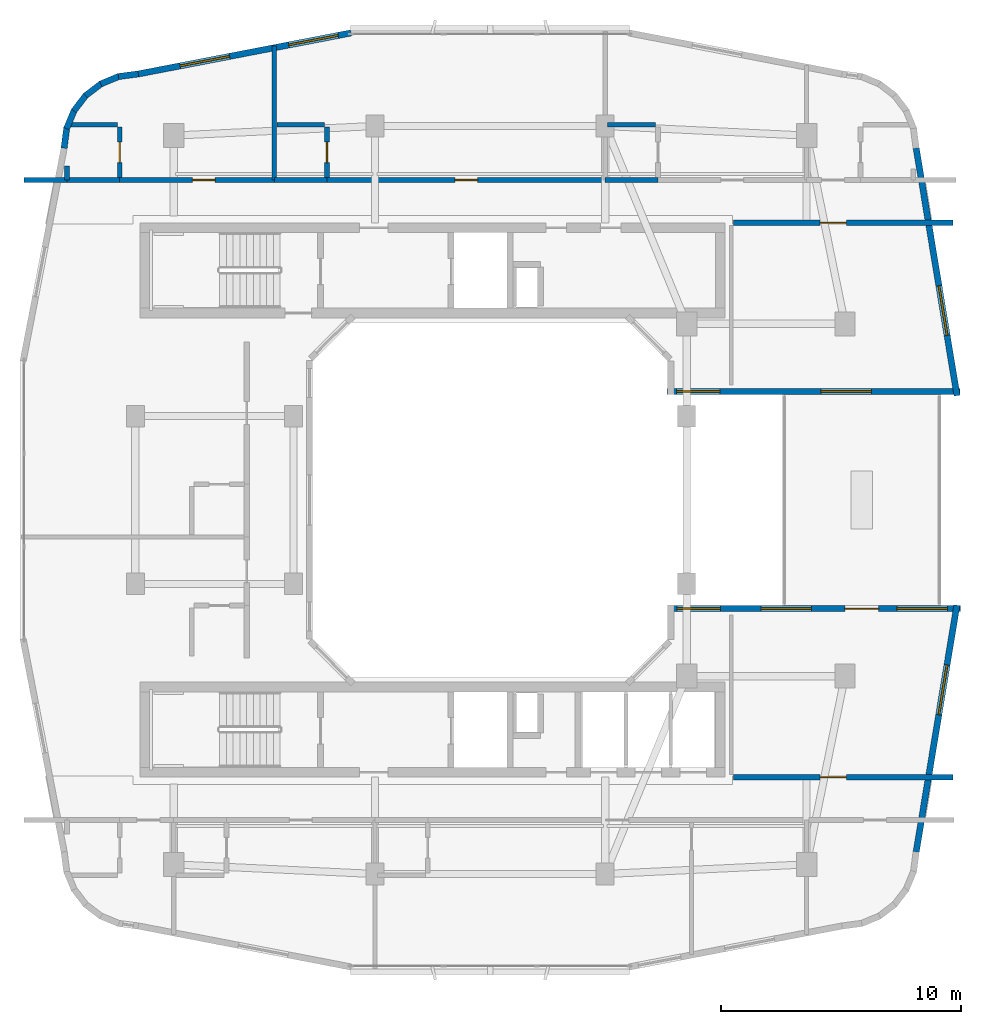
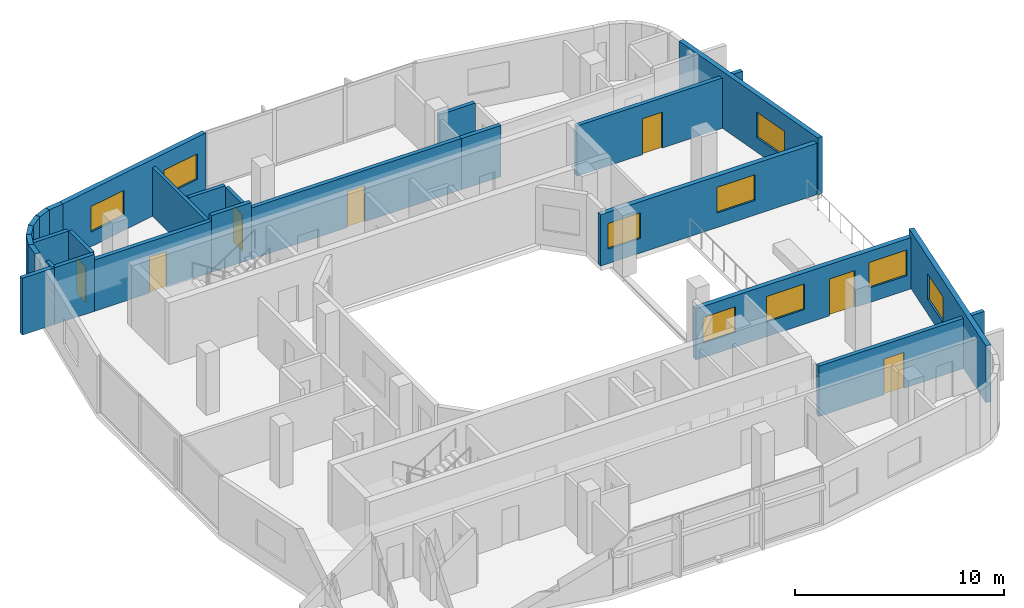
# One storey, part 7 of 12: 26 walls, 9 windows, 7 doors, 16 openings.
"""IFC4 building model written with IfcOpenShell, lengths in metres."""

from ifc_helpers import new_model, si_unit, derived_unit, direction, frame, frame_2d, origin, place, context, subcontext, project, spatial, rectangle, extrude, material, layer, layer_set, type_object, element, fill, save


model = new_model("IFC4")

# Units and contexts
model_context = context("Model", 3, precision=1e-05, world=origin(), true_north=direction((0.0, 1.0)))
body_context = subcontext(model_context, "Body", "Model", "MODEL_VIEW")
ifc_project = project(units=[si_unit("LENGTHUNIT", "METRE"), si_unit("AREAUNIT", "SQUARE_METRE"), si_unit("VOLUMEUNIT", "CUBIC_METRE"), si_unit("PLANEANGLEUNIT", "RADIAN"), si_unit("MASSUNIT", "GRAM", prefix="KILO"), derived_unit("THERMALTRANSMITTANCEUNIT", [(si_unit("POWERUNIT", "WATT"), 1), (si_unit("LENGTHUNIT", "METRE"), -2), (si_unit("THERMODYNAMICTEMPERATUREUNIT", "KELVIN"), -1)])], contexts=[model_context])

# Site, building, storey
site_placement = place(None, origin())
site = spatial("IfcSite", under=ifc_project, at=site_placement, CompositionType="ELEMENT")
building_placement = place(site_placement, origin())
building = spatial("IfcBuilding", under=site, at=building_placement, Name="Kivonza Crest Hotel", CompositionType="ELEMENT")
storey_placement = place(building_placement, frame((0.0, 0.0, 177.5)))
storey = spatial("IfcBuildingStorey", under=building, at=storey_placement, Name="L48", CompositionType="ELEMENT", Elevation=177.5)

# Walls
ifc_material_1 = material(Name="High-density acoustic masonry inter-tenancy wall", Category="masonry")
ifc_layer_1 = layer(ifc_material_1, 0.179931640625)
ifc_layer_set_1 = layer_set([ifc_layer_1], Name="High-density acoustic masonry inter-tenancy wall")
wall_type_1 = type_object("IfcWallType", Name="WL-ACOU-180", PredefinedType="SOLIDWALL", material=ifc_layer_set_1)
wall_1_placement = place(storey_placement, frame((12.0, 38.35009765625, 0.0), z_axis=(0.0, 0.0, 1.0), x_axis=(0.0, 1.0, 0.0)))
element("IfcWall", 1, at=wall_1_placement, inside=storey, type_object=wall_type_1, Name="L48 interior partition WA-L48-T1N-DIV1", PredefinedType="SOLIDWALL", context=body_context, shape_type="SweptSolid", body=[
    extrude(rectangle(XDim=5.587890625, YDim=0.179931640625, at=frame_2d((2.7939453125, 0.0))), origin(), (0.0, 0.0, 1.0), 2.844970703125),
])
ifc_material_2 = material(Name="Autoclaved aerated concrete blockwork", Category="masonry")
ifc_layer_2 = layer(ifc_material_2, 0.219970703125)
ifc_layer_set_2 = layer_set([ifc_layer_2], Name="Autoclaved aerated concrete blockwork")
wall_type_2 = type_object("IfcWallType", Name="WL-ACOU-220", PredefinedType="SOLIDWALL", material=ifc_layer_set_2)
wall_2_placement = place(storey_placement, frame((1.56005859375, 38.35009765625, 0.0), z_axis=(0.0, 0.0, 1.0), x_axis=(1.0, 0.0, 0.0)))
element("IfcWall", 2, at=wall_2_placement, inside=storey, type_object=wall_type_2, Name="L48 interior partition WA-L48-N01-XCORR", PredefinedType="SOLIDWALL", context=body_context, shape_type="SweptSolid", body=[
    extrude(rectangle(XDim=1.7900390625, YDim=0.219970703125, at=frame_2d((0.89501953125, 0.0))), origin(), (0.0, 0.0, 1.0), 3.320068359375),
])
wall_3_placement = place(storey_placement, frame((3.35009765625, 38.35009765625, 0.0), z_axis=(0.0, 0.0, 1.0), x_axis=(1.0, 0.0, 0.0)))
element("IfcWall", 3, at=wall_3_placement, inside=storey, type_object=wall_type_2, Name="L48 interior partition WA-L48-N01-BCORR", PredefinedType="SOLIDWALL", context=body_context, shape_type="SweptSolid", body=[
    extrude(rectangle(XDim=2.199951171875, YDim=0.219970703125, at=frame_2d((1.10009765625, 0.0))), origin(), (0.0, 0.0, 1.0), 3.320068359375),
])

# Wall, opening, door
wall_4_placement = place(storey_placement, frame((5.550048828125, 38.35009765625, 0.0), z_axis=(0.0, 0.0, 1.0), x_axis=(1.0, 0.0, 0.0)))
wall_4 = element("IfcWall", 4, at=wall_4_placement, inside=storey, type_object=wall_type_2, Name="L48 interior partition WA-L48-N01-MCORR", PredefinedType="SOLIDWALL", context=body_context, shape_type="SweptSolid", body=[
    extrude(rectangle(XDim=6.449951171875, YDim=0.219970703125, at=frame_2d((3.22509765625, 0.0))), origin(), (0.0, 0.0, 1.0), 2.9951171875),
])
opening_1_placement = place(wall_4_placement, frame((3.030029296875, 0.0, 0.0)))
opening_1 = element("IfcOpeningElement", 5, at=opening_1_placement, cuts=wall_4, Name="Opening DU-60", PredefinedType="OPENING", context=body_context, shape_type="SweptSolid", body=[
    extrude(rectangle(XDim=0.949951171875, YDim=2.10009765625, at=frame_2d((0.47509765625, 1.050048828125))), frame((0.0, 0.1201171875, 0.0), z_axis=(0.0, -1.0, 0.0), x_axis=(1.0, 0.0, 0.0)), (0.0, 0.0, 1.0), 0.239990234375),
])
ifc_material_3 = material(Name="Hardwood timber oak", Category="wood")
door_type_1 = type_object("IfcDoorType", Name="DR-UNIT-950", OperationType="NOTDEFINED", PredefinedType="DOOR", material=ifc_material_3)
door_1_placement = place(opening_1_placement, origin())
door_1 = element("IfcDoor", 6, at=door_1_placement, inside=storey, type_object=door_type_1, Name="L48 N01 guest unit entrance fire door", OperationType="SINGLE_SWING_LEFT", OverallHeight=2.10009765625, OverallWidth=0.949951171875, PredefinedType="DOOR", context=body_context, shape_type="SweptSolid", body=[
    extrude(rectangle(XDim=0.949951171875, YDim=2.10009765625, at=frame_2d((0.47509765625, 1.050048828125))), frame((0.0, 0.02490234375, 0.0), z_axis=(0.0, -1.0, 0.0), x_axis=(1.0, 0.0, 0.0)), (0.0, 0.0, 1.0), 0.050048828125),
])
fill(opening_1, door_1)

# Wall
wall_5_placement = place(storey_placement, frame((12.0, 38.35009765625, 0.0), z_axis=(0.0, 0.0, 1.0), x_axis=(1.0, 0.0, 0.0)))
element("IfcWall", 7, at=wall_5_placement, inside=storey, type_object=wall_type_2, Name="L48 interior partition WA-L48-N02-BCORR", PredefinedType="SOLIDWALL", context=body_context, shape_type="SweptSolid", body=[
    extrude(rectangle(XDim=2.199951171875, YDim=0.219970703125, at=frame_2d((1.10009765625, 0.0))), origin(), (0.0, 0.0, 1.0), 3.320068359375),
])

# Wall, opening, door
wall_6_placement = place(storey_placement, frame((14.199951171875, 38.35009765625, 0.0), z_axis=(0.0, 0.0, 1.0), x_axis=(1.0, 0.0, 0.0)))
wall_6 = element("IfcWall", 8, at=wall_6_placement, inside=storey, type_object=wall_type_2, Name="L48 interior partition WA-L48-N02-MCORR", PredefinedType="SOLIDWALL", context=body_context, shape_type="SweptSolid", body=[
    extrude(rectangle(XDim=11.60009765625, YDim=0.219970703125, at=frame_2d((5.800048828125, 0.0))), origin(), (0.0, 0.0, 1.0), 2.9951171875),
])
opening_2_placement = place(wall_6_placement, frame((5.324951171875, 0.0, 0.0)))
opening_2 = element("IfcOpeningElement", 9, at=opening_2_placement, cuts=wall_6, Name="Opening DU-60", PredefinedType="OPENING", context=body_context, shape_type="SweptSolid", body=[
    extrude(rectangle(XDim=0.949951171875, YDim=2.10009765625, at=frame_2d((0.47509765625, 1.050048828125))), frame((0.0, 0.1201171875, 0.0), z_axis=(0.0, -1.0, 0.0), x_axis=(1.0, 0.0, 0.0)), (0.0, 0.0, 1.0), 0.239990234375),
])
door_2_placement = place(opening_2_placement, origin())
door_2 = element("IfcDoor", 10, at=door_2_placement, inside=storey, type_object=door_type_1, Name="L48 N02 guest unit entrance fire door", OperationType="SINGLE_SWING_RIGHT", OverallHeight=2.10009765625, OverallWidth=0.949951171875, PredefinedType="DOOR", context=body_context, shape_type="SweptSolid", body=[
    extrude(rectangle(XDim=0.949951171875, YDim=2.10009765625, at=frame_2d((0.47509765625, 1.050048828125))), frame((0.0, 0.02490234375, 0.0), z_axis=(0.0, -1.0, 0.0), x_axis=(1.0, 0.0, 0.0)), (0.0, 0.0, 1.0), 0.050048828125),
])
fill(opening_2, door_2)

# Wall
wall_7_placement = place(storey_placement, frame((25.800048828125, 38.35009765625, 0.0), z_axis=(0.0, 0.0, 1.0), x_axis=(1.0, 0.0, 0.0)))
element("IfcWall", 11, at=wall_7_placement, inside=storey, type_object=wall_type_2, Name="L48 interior partition WA-L48-N03-BCORR", PredefinedType="SOLIDWALL", context=body_context, shape_type="SweptSolid", body=[
    extrude(rectangle(XDim=2.199951171875, YDim=0.219970703125, at=frame_2d((1.10009765625, 0.0))), origin(), (0.0, 0.0, 1.0), 2.9951171875),
])

# Wall, opening, door
wall_8_placement = place(storey_placement, frame((31.14990234375, 13.43994140625, 0.0), z_axis=(0.0, 0.0, 1.0), x_axis=(1.0, 0.0, 0.0)))
wall_8 = element("IfcWall", 12, at=wall_8_placement, inside=storey, type_object=wall_type_2, Name="L48 interior partition WA-L48-EP1-S", PredefinedType="SOLIDWALL", context=body_context, shape_type="SweptSolid", body=[
    extrude(rectangle(XDim=9.150146484375, YDim=0.219970703125, at=frame_2d((4.5751953125, 0.0))), origin(), (0.0, 0.0, 1.0), 2.93505859375),
])
opening_3_placement = place(wall_8_placement, frame((3.612060546875, 0.0, 0.0)))
opening_3 = element("IfcOpeningElement", 13, at=opening_3_placement, cuts=wall_8, Name="Opening DF-60M", PredefinedType="OPENING", context=body_context, shape_type="SweptSolid", body=[
    extrude(rectangle(XDim=1.10009765625, YDim=2.10009765625, at=frame_2d((0.550048828125, 1.050048828125))), frame((0.0, 0.1201171875, 0.0), z_axis=(0.0, -1.0, 0.0), x_axis=(1.0, 0.0, 0.0)), (0.0, 0.0, 1.0), 0.239990234375),
])
door_type_2 = type_object("IfcDoorType", Name="DR-FD60-1100", OperationType="NOTDEFINED", PredefinedType="DOOR", material=ifc_material_3)
door_3_placement = place(opening_3_placement, origin())
door_3 = element("IfcDoor", 14, at=door_3_placement, inside=storey, type_object=door_type_2, Name="L48 South Portal Fitness Gym door", OperationType="SINGLE_SWING_RIGHT", OverallHeight=2.10009765625, OverallWidth=1.10009765625, PredefinedType="DOOR", context=body_context, shape_type="SweptSolid", body=[
    extrude(rectangle(XDim=1.10009765625, YDim=2.10009765625, at=frame_2d((0.550048828125, 1.050048828125))), frame((0.0, 0.02490234375, 0.0), z_axis=(0.0, -1.0, 0.0), x_axis=(1.0, 0.0, 0.0)), (0.0, 0.0, 1.0), 0.050048828125),
])
fill(opening_3, door_3)

wall_9_placement = place(storey_placement, frame((31.14990234375, 36.56005859375, 0.0), z_axis=(0.0, 0.0, 1.0), x_axis=(1.0, 0.0, 0.0)))
wall_9 = element("IfcWall", 15, at=wall_9_placement, inside=storey, type_object=wall_type_2, Name="L48 interior partition WA-L48-EP2-N", PredefinedType="SOLIDWALL", context=body_context, shape_type="SweptSolid", body=[
    extrude(rectangle(XDim=9.150146484375, YDim=0.219970703125, at=frame_2d((4.5751953125, 0.0))), origin(), (0.0, 0.0, 1.0), 2.93505859375),
])
opening_4_placement = place(wall_9_placement, frame((3.612060546875, 0.0, 0.0)))
opening_4 = element("IfcOpeningElement", 16, at=opening_4_placement, cuts=wall_9, Name="Opening DF-60M", PredefinedType="OPENING", context=body_context, shape_type="SweptSolid", body=[
    extrude(rectangle(XDim=1.10009765625, YDim=2.10009765625, at=frame_2d((0.550048828125, 1.050048828125))), frame((0.0, 0.1201171875, 0.0), z_axis=(0.0, -1.0, 0.0), x_axis=(1.0, 0.0, 0.0)), (0.0, 0.0, 1.0), 0.239990234375),
])
door_4_placement = place(opening_4_placement, frame((1.10009765625, 0.0, 0.0), z_axis=(0.0, 0.0, 1.0), x_axis=(-1.0, 0.0, 0.0)))
door_4 = element("IfcDoor", 17, at=door_4_placement, inside=storey, type_object=door_type_2, Name="L48 North Portal Executive Office door", OperationType="SINGLE_SWING_LEFT", OverallHeight=2.10009765625, OverallWidth=1.10009765625, PredefinedType="DOOR", context=body_context, shape_type="SweptSolid", body=[
    extrude(rectangle(XDim=1.10009765625, YDim=2.10009765625, at=frame_2d((0.550048828125, 1.050048828125))), frame((0.0, 0.02490234375, 0.0), z_axis=(0.0, -1.0, 0.0), x_axis=(1.0, 0.0, 0.0)), (0.0, 0.0, 1.0), 0.050048828125),
])
fill(opening_4, door_4)

# Wall, opening, window
ifc_material_4 = material(Name="Precast concrete C40/50", Category="concrete")
ifc_layer_3 = layer(ifc_material_4, 0.260009765625)
ifc_layer_set_3 = layer_set([ifc_layer_3], Name="Precast concrete C40/50")
wall_type_3 = type_object("IfcWallType", Name="WL-EXT-260", PredefinedType="STANDARD", material=ifc_layer_set_3)
wall_10_placement = place(storey_placement, frame((38.77099609375, 10.31298828125, 0.0), z_axis=(0.0, 0.0, 1.0), x_axis=(0.16277908586, 0.986662540693, 0.0)))
wall_10 = element("IfcWall", 18, at=wall_10_placement, inside=storey, type_object=wall_type_3, Name="L48 T1 exterior insulated wall 16", PredefinedType="STANDARD", context=body_context, shape_type="SweptSolid", body=[
    extrude(rectangle(XDim=10.437255859375, YDim=0.260009765625, at=frame_2d((5.21875, 0.0))), origin(), (0.0, 0.0, 1.0), 3.320068359375),
])
opening_5_placement = place(wall_10_placement, frame((5.81005859375, 0.0, 0.85009765625)))
opening_5 = element("IfcOpeningElement", 19, at=opening_5_placement, cuts=wall_10, Name="Opening WN-04", PredefinedType="OPENING", context=body_context, shape_type="SweptSolid", body=[
    extrude(rectangle(XDim=2.10009765625, YDim=1.5, at=frame_2d((1.050048828125, 0.75))), frame((0.0, 0.14013671875, 0.0), z_axis=(0.0, -1.0, 0.0), x_axis=(1.0, 0.0, 0.0)), (0.0, 0.0, 1.0), 0.280029296875),
])
ifc_material_5 = material(Name="Thermally broken bronze aluminium and low-E double glazing", Category="aluminium")
window_type_1 = type_object("IfcWindowType", Name="WN-210x150", PartitioningType="DOUBLE_PANEL_VERTICAL", PredefinedType="WINDOW", material=ifc_material_5)
window_1_placement = place(opening_5_placement, origin())
window_1 = element("IfcWindow", 20, at=window_1_placement, inside=storey, type_object=window_type_1, Name="L48 T1 facade window 16", OverallHeight=1.5, OverallWidth=2.10009765625, PartitioningType="SINGLE_PANEL", PredefinedType="WINDOW", context=body_context, shape_type="SweptSolid", body=[
    extrude(rectangle(XDim=2.10009765625, YDim=1.5, at=frame_2d((1.050048828125, 0.75))), frame((0.0, 0.030029296875, 0.0), z_axis=(0.0, -1.0, 0.0), x_axis=(1.0, 0.0, 0.0)), (0.0, 0.0, 1.0), 0.06005859375),
])
fill(opening_5, window_1)

# Wall, openings, door, windows
wall_11_placement = place(storey_placement, frame((40.625, 20.469970703125, 0.0), z_axis=(0.0, 0.0, 1.0), x_axis=(-1.0, 0.0, 0.0)))
wall_11 = element("IfcWall", 21, at=wall_11_placement, inside=storey, type_object=wall_type_3, Name="L48 T1 exterior insulated wall 17", PredefinedType="STANDARD", context=body_context, shape_type="SweptSolid", body=[
    extrude(rectangle(XDim=12.215087890625, YDim=0.260009765625, at=frame_2d((6.107421875, 0.0))), origin(), (0.0, 0.0, 1.0), 2.9951171875),
])
opening_6_placement = place(wall_11_placement, frame((3.425048828125, 0.0, 0.0)))
opening_6 = element("IfcOpeningElement", 22, at=opening_6_placement, cuts=wall_11, Name="Opening DT-140", PredefinedType="OPENING", context=body_context, shape_type="SweptSolid", body=[
    extrude(rectangle(XDim=1.39990234375, YDim=2.14990234375, at=frame_2d((0.699951171875, 1.074951171875))), frame((0.0, 0.14013671875, 0.0), z_axis=(0.0, -1.0, 0.0), x_axis=(1.0, 0.0, 0.0)), (0.0, 0.0, 1.0), 0.280029296875),
])
opening_7_placement = place(wall_11_placement, frame((0.556884765625, 0.0, 0.85009765625)))
opening_7 = element("IfcOpeningElement", 23, at=opening_7_placement, cuts=wall_11, Name="Opening WN-04", PredefinedType="OPENING", context=body_context, shape_type="SweptSolid", body=[
    extrude(rectangle(XDim=2.10009765625, YDim=1.5, at=frame_2d((1.050048828125, 0.75))), frame((0.0, 0.14013671875, 0.0), z_axis=(0.0, -1.0, 0.0), x_axis=(1.0, 0.0, 0.0)), (0.0, 0.0, 1.0), 0.280029296875),
])
opening_8_placement = place(wall_11_placement, frame((6.22509765625, 0.0, 0.85009765625)))
opening_8 = element("IfcOpeningElement", 24, at=opening_8_placement, cuts=wall_11, Name="Opening WN-04", PredefinedType="OPENING", context=body_context, shape_type="SweptSolid", body=[
    extrude(rectangle(XDim=2.10009765625, YDim=1.5, at=frame_2d((1.050048828125, 0.75))), frame((0.0, 0.14013671875, 0.0), z_axis=(0.0, -1.0, 0.0), x_axis=(1.0, 0.0, 0.0)), (0.0, 0.0, 1.0), 0.280029296875),
])
opening_9_placement = place(wall_11_placement, frame((10.02490234375, 0.0, 0.85009765625)))
opening_9 = element("IfcOpeningElement", 25, at=opening_9_placement, cuts=wall_11, Name="Opening WN-03", PredefinedType="OPENING", context=body_context, shape_type="SweptSolid", body=[
    extrude(rectangle(XDim=1.800048828125, YDim=1.5, at=frame_2d((0.89990234375, 0.75))), frame((0.0, 0.14013671875, 0.0), z_axis=(0.0, -1.0, 0.0), x_axis=(1.0, 0.0, 0.0)), (0.0, 0.0, 1.0), 0.280029296875),
])
ifc_material_6 = material(Name="Anodised bronze aluminium and laminated safety glass", Category="aluminium")
door_type_3 = type_object("IfcDoorType", Name="DR-TERR-1400", OperationType="NOTDEFINED", PredefinedType="DOOR", material=ifc_material_6)
door_5_placement = place(opening_6_placement, frame((1.39990234375, 0.0, 0.0), z_axis=(0.0, 0.0, 1.0), x_axis=(-1.0, 0.0, 0.0)))
door_5 = element("IfcDoor", 26, at=door_5_placement, inside=storey, type_object=door_type_3, Name="L48 East void-portal terrace access door", OperationType="DOUBLE_DOOR_SINGLE_SWING", OverallHeight=2.14990234375, OverallWidth=1.39990234375, PredefinedType="DOOR", context=body_context, shape_type="SweptSolid", body=[
    extrude(rectangle(XDim=1.39990234375, YDim=2.14990234375, at=frame_2d((0.699951171875, 1.074951171875))), frame((0.0, 0.02490234375, 0.0), z_axis=(0.0, -1.0, 0.0), x_axis=(1.0, 0.0, 0.0)), (0.0, 0.0, 1.0), 0.050048828125),
])
fill(opening_6, door_5)
window_type_2 = type_object("IfcWindowType", Name="WN-180x150", PartitioningType="DOUBLE_PANEL_VERTICAL", PredefinedType="WINDOW", material=ifc_material_5)
window_2_placement = place(opening_9_placement, origin())
window_2 = element("IfcWindow", 27, at=window_2_placement, inside=storey, type_object=window_type_2, Name="L48 T1 facade window 17 bay 3", OverallHeight=1.5, OverallWidth=1.800048828125, PartitioningType="SINGLE_PANEL", PredefinedType="WINDOW", context=body_context, shape_type="SweptSolid", body=[
    extrude(rectangle(XDim=1.800048828125, YDim=1.5, at=frame_2d((0.89990234375, 0.75))), frame((0.0, 0.030029296875, 0.0), z_axis=(0.0, -1.0, 0.0), x_axis=(1.0, 0.0, 0.0)), (0.0, 0.0, 1.0), 0.06005859375),
])
fill(opening_9, window_2)
window_3_placement = place(opening_7_placement, origin())
window_3 = element("IfcWindow", 28, at=window_3_placement, inside=storey, type_object=window_type_1, Name="L48 T1 facade window 17 bay 1", OverallHeight=1.5, OverallWidth=2.10009765625, PartitioningType="SINGLE_PANEL", PredefinedType="WINDOW", context=body_context, shape_type="SweptSolid", body=[
    extrude(rectangle(XDim=2.10009765625, YDim=1.5, at=frame_2d((1.050048828125, 0.75))), frame((0.0, 0.030029296875, 0.0), z_axis=(0.0, -1.0, 0.0), x_axis=(1.0, 0.0, 0.0)), (0.0, 0.0, 1.0), 0.06005859375),
])
fill(opening_7, window_3)
window_4_placement = place(opening_8_placement, origin())
window_4 = element("IfcWindow", 29, at=window_4_placement, inside=storey, type_object=window_type_1, Name="L48 T1 facade window 17 bay 2", OverallHeight=1.5, OverallWidth=2.10009765625, PartitioningType="SINGLE_PANEL", PredefinedType="WINDOW", context=body_context, shape_type="SweptSolid", body=[
    extrude(rectangle(XDim=2.10009765625, YDim=1.5, at=frame_2d((1.050048828125, 0.75))), frame((0.0, 0.030029296875, 0.0), z_axis=(0.0, -1.0, 0.0), x_axis=(1.0, 0.0, 0.0)), (0.0, 0.0, 1.0), 0.06005859375),
])
fill(opening_8, window_4)

# Wall, openings, windows
wall_12_placement = place(storey_placement, frame((28.375, 29.530029296875, 0.0), z_axis=(0.0, 0.0, 1.0), x_axis=(1.0, 0.0, 0.0)))
wall_12 = element("IfcWall", 30, at=wall_12_placement, inside=storey, type_object=wall_type_3, Name="L48 T1 exterior insulated wall 27", PredefinedType="STANDARD", context=body_context, shape_type="SweptSolid", body=[
    extrude(rectangle(XDim=12.215087890625, YDim=0.260009765625, at=frame_2d((6.107421875, 0.0))), origin(), (0.0, 0.0, 1.0), 2.9951171875),
])
opening_10_placement = place(wall_12_placement, frame((0.407958984375, 0.0, 0.85009765625)))
opening_10 = element("IfcOpeningElement", 31, at=opening_10_placement, cuts=wall_12, Name="Opening WN-03", PredefinedType="OPENING", context=body_context, shape_type="SweptSolid", body=[
    extrude(rectangle(XDim=1.800048828125, YDim=1.5, at=frame_2d((0.89990234375, 0.75))), frame((0.0, 0.14013671875, 0.0), z_axis=(0.0, -1.0, 0.0), x_axis=(1.0, 0.0, 0.0)), (0.0, 0.0, 1.0), 0.280029296875),
])
opening_11_placement = place(wall_12_placement, frame((6.425048828125, 0.0, 0.85009765625)))
opening_11 = element("IfcOpeningElement", 32, at=opening_11_placement, cuts=wall_12, Name="Opening WN-04", PredefinedType="OPENING", context=body_context, shape_type="SweptSolid", body=[
    extrude(rectangle(XDim=2.10009765625, YDim=1.5, at=frame_2d((1.050048828125, 0.75))), frame((0.0, 0.14013671875, 0.0), z_axis=(0.0, -1.0, 0.0), x_axis=(1.0, 0.0, 0.0)), (0.0, 0.0, 1.0), 0.280029296875),
])
window_5_placement = place(opening_10_placement, origin())
window_5 = element("IfcWindow", 33, at=window_5_placement, inside=storey, type_object=window_type_2, Name="L48 T1 facade window 27 bay 1", OverallHeight=1.5, OverallWidth=1.800048828125, PartitioningType="SINGLE_PANEL", PredefinedType="WINDOW", context=body_context, shape_type="SweptSolid", body=[
    extrude(rectangle(XDim=1.800048828125, YDim=1.5, at=frame_2d((0.89990234375, 0.75))), frame((0.0, 0.030029296875, 0.0), z_axis=(0.0, -1.0, 0.0), x_axis=(1.0, 0.0, 0.0)), (0.0, 0.0, 1.0), 0.06005859375),
])
fill(opening_10, window_5)
window_6_placement = place(opening_11_placement, origin())
window_6 = element("IfcWindow", 34, at=window_6_placement, inside=storey, type_object=window_type_1, Name="L48 T1 facade window 27 bay 2", OverallHeight=1.5, OverallWidth=2.10009765625, PartitioningType="SINGLE_PANEL", PredefinedType="WINDOW", context=body_context, shape_type="SweptSolid", body=[
    extrude(rectangle(XDim=2.10009765625, YDim=1.5, at=frame_2d((1.050048828125, 0.75))), frame((0.0, 0.030029296875, 0.0), z_axis=(0.0, -1.0, 0.0), x_axis=(1.0, 0.0, 0.0)), (0.0, 0.0, 1.0), 0.06005859375),
])
fill(opening_11, window_6)

# Wall, opening, window
wall_13_placement = place(storey_placement, frame((40.47607421875, 29.35400390625, 0.0), z_axis=(0.0, 0.0, 1.0), x_axis=(-0.162811037825, 0.986657268742, 0.0)))
wall_13 = element("IfcWall", 35, at=wall_13_placement, inside=storey, type_object=wall_type_3, Name="L48 T1 exterior insulated wall 28", PredefinedType="STANDARD", context=body_context, shape_type="SweptSolid", body=[
    extrude(rectangle(XDim=10.47265625, YDim=0.260009765625, at=frame_2d((5.236328125, 0.0))), origin(), (0.0, 0.0, 1.0), 3.320068359375),
])
opening_12_placement = place(wall_13_placement, frame((2.544921875, 0.0, 0.85009765625)))
opening_12 = element("IfcOpeningElement", 36, at=opening_12_placement, cuts=wall_13, Name="Opening WN-04", PredefinedType="OPENING", context=body_context, shape_type="SweptSolid", body=[
    extrude(rectangle(XDim=2.10009765625, YDim=1.5, at=frame_2d((1.050048828125, 0.75))), frame((0.0, 0.14013671875, 0.0), z_axis=(0.0, -1.0, 0.0), x_axis=(1.0, 0.0, 0.0)), (0.0, 0.0, 1.0), 0.280029296875),
])
window_7_placement = place(opening_12_placement, origin())
window_7 = element("IfcWindow", 37, at=window_7_placement, inside=storey, type_object=window_type_1, Name="L48 T1 facade window 28", OverallHeight=1.5, OverallWidth=2.10009765625, PartitioningType="SINGLE_PANEL", PredefinedType="WINDOW", context=body_context, shape_type="SweptSolid", body=[
    extrude(rectangle(XDim=2.10009765625, YDim=1.5, at=frame_2d((1.050048828125, 0.75))), frame((0.0, 0.030029296875, 0.0), z_axis=(0.0, -1.0, 0.0), x_axis=(1.0, 0.0, 0.0)), (0.0, 0.0, 1.0), 0.06005859375),
])
fill(opening_12, window_7)

# Wall, openings, windows
wall_14_placement = place(storey_placement, frame((15.198974609375, 44.48193359375, 0.0), z_axis=(0.0, 0.0, 1.0), x_axis=(-0.98192801022, -0.189254809039, 0.0)))
wall_14 = element("IfcWall", 38, at=wall_14_placement, inside=storey, type_object=wall_type_3, Name="L48 T1 exterior insulated wall 37", PredefinedType="STANDARD", context=body_context, shape_type="SweptSolid", body=[
    extrude(rectangle(XDim=9.045654296875, YDim=0.260009765625, at=frame_2d((4.52294921875, 0.0))), origin(), (0.0, 0.0, 1.0), 3.320068359375),
])
opening_13_placement = place(wall_14_placement, frame((0.5419921875, 0.0, 0.85009765625)))
opening_13 = element("IfcOpeningElement", 39, at=opening_13_placement, cuts=wall_14, Name="Opening WN-04", PredefinedType="OPENING", context=body_context, shape_type="SweptSolid", body=[
    extrude(rectangle(XDim=2.10009765625, YDim=1.5, at=frame_2d((1.050048828125, 0.75))), frame((0.0, 0.14013671875, 0.0), z_axis=(0.0, -1.0, 0.0), x_axis=(1.0, 0.0, 0.0)), (0.0, 0.0, 1.0), 0.280029296875),
])
opening_14_placement = place(wall_14_placement, frame((5.1630859375, 0.0, 0.85009765625)))
opening_14 = element("IfcOpeningElement", 40, at=opening_14_placement, cuts=wall_14, Name="Opening WN-04", PredefinedType="OPENING", context=body_context, shape_type="SweptSolid", body=[
    extrude(rectangle(XDim=2.10009765625, YDim=1.5, at=frame_2d((1.050048828125, 0.75))), frame((0.0, 0.14013671875, 0.0), z_axis=(0.0, -1.0, 0.0), x_axis=(1.0, 0.0, 0.0)), (0.0, 0.0, 1.0), 0.280029296875),
])
window_8_placement = place(opening_13_placement, origin())
window_8 = element("IfcWindow", 41, at=window_8_placement, inside=storey, type_object=window_type_1, Name="L48 T1 facade window 37 bay 1", OverallHeight=1.5, OverallWidth=2.10009765625, PartitioningType="SINGLE_PANEL", PredefinedType="WINDOW", context=body_context, shape_type="SweptSolid", body=[
    extrude(rectangle(XDim=2.10009765625, YDim=1.5, at=frame_2d((1.050048828125, 0.75))), frame((0.0, 0.030029296875, 0.0), z_axis=(0.0, -1.0, 0.0), x_axis=(1.0, 0.0, 0.0)), (0.0, 0.0, 1.0), 0.06005859375),
])
fill(opening_13, window_8)
window_9_placement = place(opening_14_placement, origin())
window_9 = element("IfcWindow", 42, at=window_9_placement, inside=storey, type_object=window_type_1, Name="L48 T1 facade window 37 bay 2", OverallHeight=1.5, OverallWidth=2.10009765625, PartitioningType="SINGLE_PANEL", PredefinedType="WINDOW", context=body_context, shape_type="SweptSolid", body=[
    extrude(rectangle(XDim=2.10009765625, YDim=1.5, at=frame_2d((1.050048828125, 0.75))), frame((0.0, 0.030029296875, 0.0), z_axis=(0.0, -1.0, 0.0), x_axis=(1.0, 0.0, 0.0)), (0.0, 0.0, 1.0), 0.06005859375),
])
fill(opening_14, window_9)

# Walls
wall_15_placement = place(storey_placement, frame((6.324951171875, 42.77197265625, 0.0), z_axis=(0.0, 0.0, 1.0), x_axis=(-0.99142134712, -0.130704676564, 0.0)))
element("IfcWall", 43, at=wall_15_placement, inside=storey, type_object=wall_type_3, Name="L48 T1 exterior insulated wall 38", PredefinedType="STANDARD", context=body_context, shape_type="SweptSolid", body=[
    extrude(rectangle(XDim=0.8330078125, YDim=0.260009765625, at=frame_2d((0.41650390625, 0.0))), origin(), (0.0, 0.0, 1.0), 3.320068359375),
])
wall_16_placement = place(storey_placement, frame((5.544921875, 42.680908203125, 0.0), z_axis=(0.0, 0.0, 1.0), x_axis=(-0.923712395518, -0.383086687796, 0.0)))
element("IfcWall", 44, at=wall_16_placement, inside=storey, type_object=wall_type_3, Name="L48 T1 exterior insulated wall 39", PredefinedType="STANDARD", context=body_context, shape_type="SweptSolid", body=[
    extrude(rectangle(XDim=0.850830078125, YDim=0.260009765625, at=frame_2d((0.42529296875, 0.0))), origin(), (0.0, 0.0, 1.0), 3.320068359375),
])
for number, where, z_axis, x_axis, name in (
    (45, (4.799072265625, 42.383056640625, 0.0), (0.0, 0.0, 1.0), (-0.793860452124, -0.608099977432, 0.0), "L48 T1 exterior insulated wall 40"),
    (46, (4.155029296875, 41.904052734375, 0.0), (0.0, 0.0, 1.0), (-0.608099977432, -0.793860452124, 0.0), "L48 T1 exterior insulated wall 41"),
):
    element("IfcWall", number, at=place(storey_placement, frame(where, z_axis=z_axis, x_axis=x_axis)), inside=storey, type_object=wall_type_3, Name=name, PredefinedType="STANDARD", context=body_context, shape_type="SweptSolid", body=[
        extrude(rectangle(XDim=0.850341796875, YDim=0.260009765625, at=frame_2d((0.42529296875, 0.0))), origin(), (0.0, 0.0, 1.0), 3.320068359375),
    ])
wall_17_placement = place(storey_placement, frame((3.658935546875, 41.27294921875, 0.0), z_axis=(0.0, 0.0, 1.0), x_axis=(-0.383086687796, -0.923712395518, 0.0)))
element("IfcWall", 47, at=wall_17_placement, inside=storey, type_object=wall_type_3, Name="L48 T1 exterior insulated wall 42", PredefinedType="STANDARD", context=body_context, shape_type="SweptSolid", body=[
    extrude(rectangle(XDim=0.850830078125, YDim=0.260009765625, at=frame_2d((0.42529296875, 0.0))), origin(), (0.0, 0.0, 1.0), 3.320068359375),
])
wall_18_placement = place(storey_placement, frame((3.341064453125, 40.535888671875, 0.0), z_axis=(0.0, 0.0, 1.0), x_axis=(-0.130192647656, -0.991488716273, 0.0)))
element("IfcWall", 48, at=wall_18_placement, inside=storey, type_object=wall_type_3, Name="L48 T1 exterior insulated wall 43", PredefinedType="STANDARD", context=body_context, shape_type="SweptSolid", body=[
    extrude(rectangle(XDim=0.8681640625, YDim=0.260009765625, at=frame_2d((0.43408203125, 0.0))), origin(), (0.0, 0.0, 1.0), 3.320068359375),
])

# Wall, opening, door
ifc_material_7 = material(Name="Moisture-resistant plumbing chase partition wall", Category="gypsum")
ifc_layer_4 = layer(ifc_material_7, 0.199951171875)
ifc_layer_set_4 = layer_set([ifc_layer_4], Name="Moisture-resistant plumbing chase partition wall")
wall_type_4 = type_object("IfcWallType", Name="WL-PLUMB-200", PredefinedType="PLUMBINGWALL", material=ifc_layer_set_4)
wall_19_placement = place(storey_placement, frame((5.550048828125, 38.449951171875, 0.0), z_axis=(0.0, 0.0, 1.0), x_axis=(0.0, 1.0, 0.0)))
wall_19 = element("IfcWall", 49, at=wall_19_placement, inside=storey, type_object=wall_type_4, Name="L48 interior partition WW-L48-N01-BV", PredefinedType="PLUMBINGWALL", context=body_context, shape_type="SweptSolid", body=[
    extrude(rectangle(XDim=2.10009765625, YDim=0.199951171875, at=frame_2d((1.050048828125, 0.0))), origin(), (0.0, 0.0, 1.0), 3.320068359375),
])
opening_15_placement = place(wall_19_placement, frame((0.625, 0.0, 0.0)))
opening_15 = element("IfcOpeningElement", 50, at=opening_15_placement, cuts=wall_19, Name="Opening DI-85", PredefinedType="OPENING", context=body_context, shape_type="SweptSolid", body=[
    extrude(rectangle(XDim=0.85009765625, YDim=2.10009765625, at=frame_2d((0.425048828125, 1.050048828125))), frame((0.0, 0.10986328125, 0.0), z_axis=(0.0, -1.0, 0.0), x_axis=(1.0, 0.0, 0.0)), (0.0, 0.0, 1.0), 0.219970703125),
])
door_type_4 = type_object("IfcDoorType", Name="DR-INT-850", OperationType="NOTDEFINED", PredefinedType="DOOR", material=ifc_material_3)
door_6_placement = place(opening_15_placement, frame((0.85009765625, 0.0, 0.0), z_axis=(0.0, 0.0, 1.0), x_axis=(-1.0, 0.0, 0.0)))
door_6 = element("IfcDoor", 51, at=door_6_placement, inside=storey, type_object=door_type_4, Name="L48 N01 en-suite bathroom door", OperationType="SINGLE_SWING_RIGHT", OverallHeight=2.10009765625, OverallWidth=0.85009765625, PredefinedType="DOOR", context=body_context, shape_type="SweptSolid", body=[
    extrude(rectangle(XDim=0.85009765625, YDim=2.10009765625, at=frame_2d((0.425048828125, 1.050048828125))), frame((0.0, 0.02490234375, 0.0), z_axis=(0.0, -1.0, 0.0), x_axis=(1.0, 0.0, 0.0)), (0.0, 0.0, 1.0), 0.050048828125),
])
fill(opening_15, door_6)

# Walls
wall_20_placement = place(storey_placement, frame((3.449951171875, 40.64990234375, 0.0), z_axis=(0.0, 0.0, 1.0), x_axis=(1.0, 0.0, 0.0)))
element("IfcWall", 52, at=wall_20_placement, inside=storey, type_object=wall_type_4, Name="L48 interior partition WW-L48-N01-BH", PredefinedType="PLUMBINGWALL", context=body_context, shape_type="SweptSolid", body=[
    extrude(rectangle(XDim=2.0, YDim=0.199951171875, at=frame_2d((1.0, 0.0))), origin(), (0.0, 0.0, 1.0), 3.320068359375),
])
wall_21_placement = place(storey_placement, frame((3.35009765625, 38.35009765625, 0.0), z_axis=(0.0, 0.0, 1.0), x_axis=(0.0, 1.0, 0.0)))
element("IfcWall", 53, at=wall_21_placement, inside=storey, type_object=wall_type_4, Name="L48 interior partition WW-L48-N01-BVW", PredefinedType="PLUMBINGWALL", context=body_context, shape_type="SweptSolid", body=[
    extrude(rectangle(XDim=0.576904296875, YDim=0.199951171875, at=frame_2d((0.28857421875, 0.0))), origin(), (0.0, 0.0, 1.0), 3.320068359375),
])

# Wall, opening, door
wall_22_placement = place(storey_placement, frame((14.199951171875, 38.449951171875, 0.0), z_axis=(0.0, 0.0, 1.0), x_axis=(0.0, 1.0, 0.0)))
wall_22 = element("IfcWall", 54, at=wall_22_placement, inside=storey, type_object=wall_type_4, Name="L48 interior partition WW-L48-N02-BV", PredefinedType="PLUMBINGWALL", context=body_context, shape_type="SweptSolid", body=[
    extrude(rectangle(XDim=2.10009765625, YDim=0.199951171875, at=frame_2d((1.050048828125, 0.0))), origin(), (0.0, 0.0, 1.0), 2.844970703125),
])
opening_16_placement = place(wall_22_placement, frame((0.625, 0.0, 0.0)))
opening_16 = element("IfcOpeningElement", 55, at=opening_16_placement, cuts=wall_22, Name="Opening DI-85", PredefinedType="OPENING", context=body_context, shape_type="SweptSolid", body=[
    extrude(rectangle(XDim=0.85009765625, YDim=2.10009765625, at=frame_2d((0.425048828125, 1.050048828125))), frame((0.0, 0.10986328125, 0.0), z_axis=(0.0, -1.0, 0.0), x_axis=(1.0, 0.0, 0.0)), (0.0, 0.0, 1.0), 0.219970703125),
])
door_7_placement = place(opening_16_placement, frame((0.85009765625, 0.0, 0.0), z_axis=(0.0, 0.0, 1.0), x_axis=(-1.0, 0.0, 0.0)))
door_7 = element("IfcDoor", 56, at=door_7_placement, inside=storey, type_object=door_type_4, Name="L48 N02 en-suite bathroom door", OperationType="SINGLE_SWING_LEFT", OverallHeight=2.10009765625, OverallWidth=0.85009765625, PredefinedType="DOOR", context=body_context, shape_type="SweptSolid", body=[
    extrude(rectangle(XDim=0.85009765625, YDim=2.10009765625, at=frame_2d((0.425048828125, 1.050048828125))), frame((0.0, 0.02490234375, 0.0), z_axis=(0.0, -1.0, 0.0), x_axis=(1.0, 0.0, 0.0)), (0.0, 0.0, 1.0), 0.050048828125),
])
fill(opening_16, door_7)

# Walls
for number, where, z_axis, x_axis, name in (
    (57, (12.10009765625, 40.64990234375, 0.0), (0.0, 0.0, 1.0), (1.0, 0.0, 0.0), "L48 interior partition WW-L48-N02-BH"),
    (58, (25.89990234375, 40.64990234375, 0.0), (0.0, 0.0, 1.0), (1.0, 0.0, 0.0), "L48 interior partition WW-L48-N03-BH"),
):
    element("IfcWall", number, at=place(storey_placement, frame(where, z_axis=z_axis, x_axis=x_axis)), inside=storey, type_object=wall_type_4, Name=name, PredefinedType="PLUMBINGWALL", context=body_context, shape_type="SweptSolid", body=[
        extrude(rectangle(XDim=2.0, YDim=0.199951171875, at=frame_2d((1.0, 0.0))), origin(), (0.0, 0.0, 1.0), 2.93505859375),
    ])

save(model, "model.ifc")
